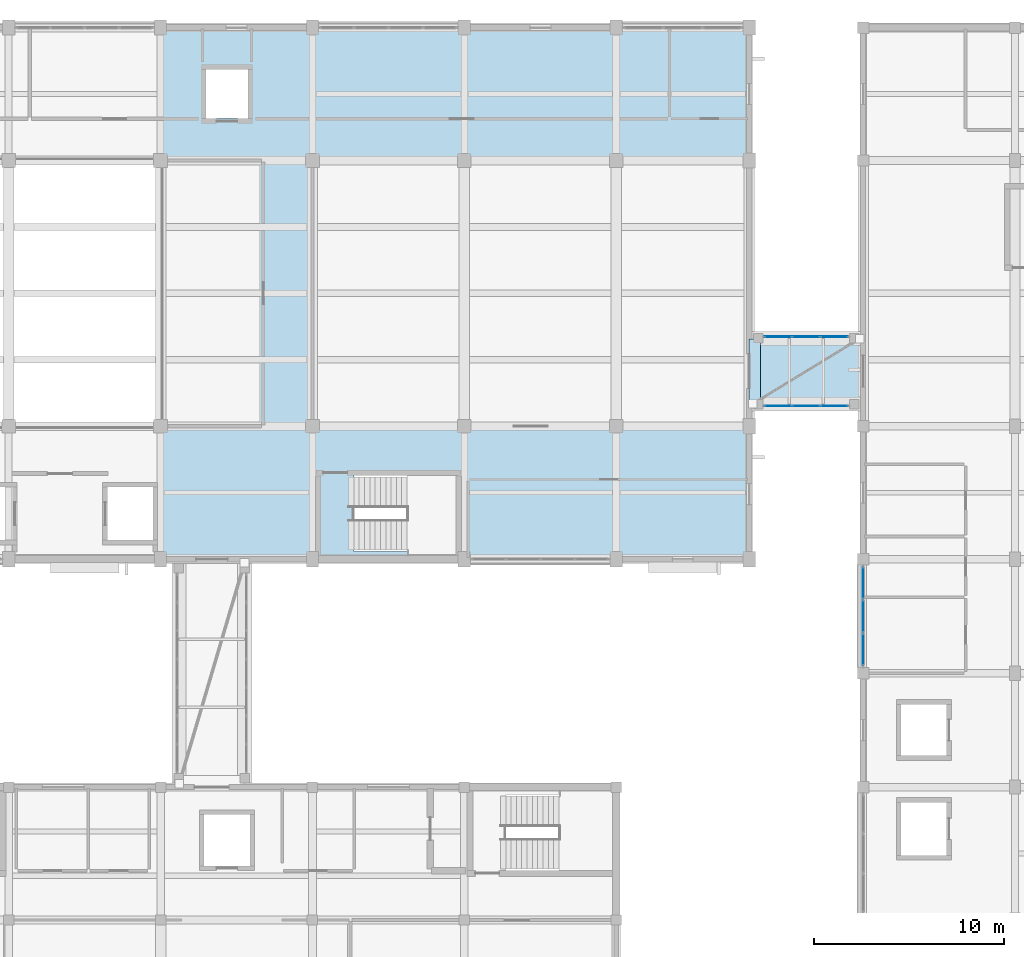
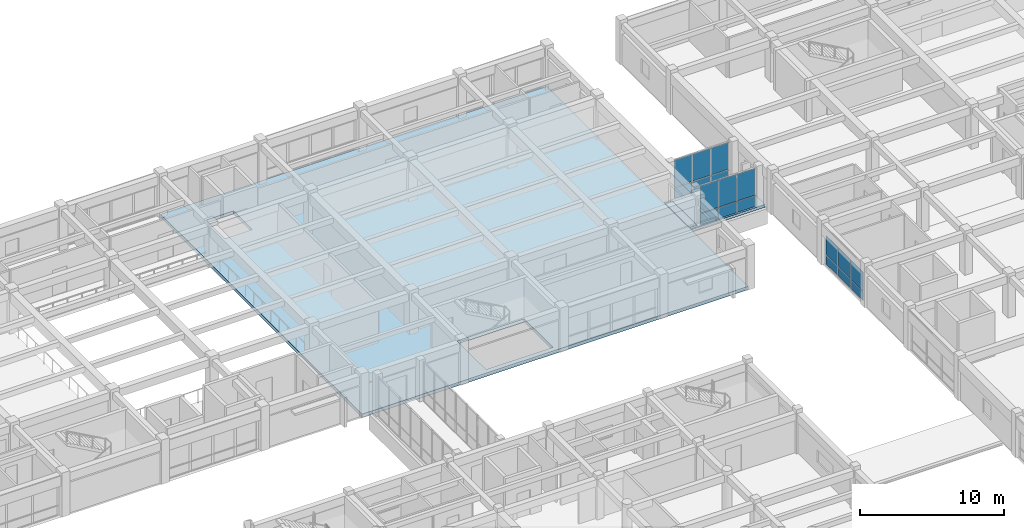
# One storey, part 20 of 42: 19 plates, 2 slabs, 3 elements without a shape of their own.
"""IFC4 building model written with IfcOpenShell, lengths in metres."""

from ifc_helpers import new_model, si_unit, direction, frame, origin, origin_2d, place, context, subcontext, project, spatial, polyline, rectangle, outline, extrude, material, layer, layer_set, type_object, element, aggregate, save


model = new_model("IFC4")

# Units and contexts
model_context = context("Model", 3, precision=1e-05, world=origin(), true_north=direction((0.0, 1.0)))
body_context = subcontext(model_context, "Body", "Model", "MODEL_VIEW")
ifc_project = project(units=[si_unit("LENGTHUNIT", "METRE"), si_unit("AREAUNIT", "SQUARE_METRE"), si_unit("VOLUMEUNIT", "CUBIC_METRE"), si_unit("PLANEANGLEUNIT", "RADIAN"), si_unit("MASSUNIT", "GRAM", prefix="KILO")], contexts=[model_context])

# Site, building, storey
site_placement = place(None, origin())
site = spatial("IfcSite", under=ifc_project, at=site_placement, CompositionType="ELEMENT")
building_placement = place(site_placement, origin())
building = spatial("IfcBuilding", under=site, at=building_placement, Name="Naurynzar Civic Courthouse", CompositionType="ELEMENT")
storey_placement = place(building_placement, frame((0.0, 0.0, 18.300048828125)))
storey = spatial("IfcBuildingStorey", under=building, at=storey_placement, Name="L05", CompositionType="ELEMENT", Elevation=18.300048828125)

# Curtain wall, plates
ifc_material_1 = material(Name="Aluminium 6063-T6", Category="aluminium")
ifc_layer_1 = layer(ifc_material_1, 0.14990234375)
ifc_layer_set_1 = layer_set([ifc_layer_1], Name="CW-BRIDGE-1500")
curtain_wall_type_1 = type_object("IfcCurtainWallType", Name="CW-BRIDGE-1500", PredefinedType="USERDEFINED", material=ifc_layer_set_1)
curtain_wall_1_placement = place(storey_placement, origin())
curtain_wall_1 = element("IfcCurtainWall", 1, at=curtain_wall_1_placement, inside=storey, type_object=curtain_wall_type_1, Name="BR-E1 glazed bridge screen L05.1", ObjectType="GLAZED BRIDGE SCREEN", PredefinedType="USERDEFINED")
ifc_material_2 = material(Name="Tempered Laminated Low-E Glass", Category="glass")
ifc_layer_2 = layer(ifc_material_2, 0.031982421875)
ifc_layer_set_2 = layer_set([ifc_layer_2], Name="CWP-IGU-32")
plate_type_1 = type_object("IfcPlateType", Name="CWP-IGU-32", PredefinedType="CURTAIN_PANEL", material=ifc_layer_set_2)
plate_1_placement = place(storey_placement, frame((125.521728515625, 52.080078125, 0.06005859375), z_axis=(0.0, 0.0, 1.0), x_axis=(1.0, 0.0, 0.0)))
plate_1 = element("IfcPlate", 2, at=plate_1_placement, type_object=plate_type_1, Name="CW-03 panel 1.1", PredefinedType="CURTAIN_PANEL", context=body_context, shape_type="SweptSolid", body=[
    extrude(rectangle(XDim=1.4033203125, YDim=0.031982421875, at=origin_2d()), origin(), (0.0, 0.0, 1.0), 0.909912109375),
])
plate_2_placement = place(storey_placement, frame((125.521728515625, 52.080078125, 1.02978515625), z_axis=(0.0, 0.0, 1.0), x_axis=(1.0, 0.0, 0.0)))
plate_2 = element("IfcPlate", 3, at=plate_2_placement, type_object=plate_type_1, Name="CW-03 panel 1.2", PredefinedType="CURTAIN_PANEL", context=body_context, shape_type="SweptSolid", body=[
    extrude(rectangle(XDim=1.4033203125, YDim=0.031982421875, at=origin_2d()), origin(), (0.0, 0.0, 1.0), 2.280029296875),
])
plate_3_placement = place(storey_placement, frame((127.0, 52.080078125, 0.06005859375), z_axis=(0.0, 0.0, 1.0), x_axis=(1.0, 0.0, 0.0)))
plate_3 = element("IfcPlate", 4, at=plate_3_placement, type_object=plate_type_1, Name="CW-03 panel 2.1", PredefinedType="CURTAIN_PANEL", context=body_context, shape_type="SweptSolid", body=[
    extrude(rectangle(XDim=1.433349609375, YDim=0.031982421875, at=origin_2d()), origin(), (0.0, 0.0, 1.0), 0.909912109375),
])
plate_4_placement = place(storey_placement, frame((127.0, 52.080078125, 1.02978515625), z_axis=(0.0, 0.0, 1.0), x_axis=(1.0, 0.0, 0.0)))
plate_4 = element("IfcPlate", 5, at=plate_4_placement, type_object=plate_type_1, Name="CW-03 panel 2.2", PredefinedType="CURTAIN_PANEL", context=body_context, shape_type="SweptSolid", body=[
    extrude(rectangle(XDim=1.433349609375, YDim=0.031982421875, at=origin_2d()), origin(), (0.0, 0.0, 1.0), 2.280029296875),
])
plate_5_placement = place(storey_placement, frame((128.478271484375, 52.080078125, 0.06005859375), z_axis=(0.0, 0.0, 1.0), x_axis=(1.0, 0.0, 0.0)))
plate_5 = element("IfcPlate", 6, at=plate_5_placement, type_object=plate_type_1, Name="CW-03 panel 3.1", PredefinedType="CURTAIN_PANEL", context=body_context, shape_type="SweptSolid", body=[
    extrude(rectangle(XDim=1.4033203125, YDim=0.031982421875, at=origin_2d()), origin(), (0.0, 0.0, 1.0), 0.909912109375),
])
plate_6_placement = place(storey_placement, frame((128.478271484375, 52.080078125, 1.02978515625), z_axis=(0.0, 0.0, 1.0), x_axis=(1.0, 0.0, 0.0)))
plate_6 = element("IfcPlate", 7, at=plate_6_placement, type_object=plate_type_1, Name="CW-03 panel 3.2", PredefinedType="CURTAIN_PANEL", context=body_context, shape_type="SweptSolid", body=[
    extrude(rectangle(XDim=1.4033203125, YDim=0.031982421875, at=origin_2d()), origin(), (0.0, 0.0, 1.0), 2.280029296875),
])
aggregate(curtain_wall_1, [plate_1, plate_2, plate_3, plate_4, plate_5, plate_6])

curtain_wall_2_placement = place(storey_placement, origin())
curtain_wall_2 = element("IfcCurtainWall", 8, at=curtain_wall_2_placement, inside=storey, type_object=curtain_wall_type_1, Name="BR-E1 glazed bridge screen L05.2", ObjectType="GLAZED BRIDGE SCREEN", PredefinedType="USERDEFINED")
plate_7_placement = place(storey_placement, frame((128.478271484375, 55.719970703125, 0.06005859375), z_axis=(0.0, 0.0, 1.0), x_axis=(-1.0, 0.0, 0.0)))
plate_7 = element("IfcPlate", 9, at=plate_7_placement, type_object=plate_type_1, Name="CW-03 panel 1.1", PredefinedType="CURTAIN_PANEL", context=body_context, shape_type="SweptSolid", body=[
    extrude(rectangle(XDim=1.4033203125, YDim=0.031982421875, at=origin_2d()), origin(), (0.0, 0.0, 1.0), 0.909912109375),
])
plate_8_placement = place(storey_placement, frame((128.478271484375, 55.719970703125, 1.02978515625), z_axis=(0.0, 0.0, 1.0), x_axis=(-1.0, 0.0, 0.0)))
plate_8 = element("IfcPlate", 10, at=plate_8_placement, type_object=plate_type_1, Name="CW-03 panel 1.2", PredefinedType="CURTAIN_PANEL", context=body_context, shape_type="SweptSolid", body=[
    extrude(rectangle(XDim=1.4033203125, YDim=0.031982421875, at=origin_2d()), origin(), (0.0, 0.0, 1.0), 2.280029296875),
])
plate_9_placement = place(storey_placement, frame((127.0, 55.719970703125, 0.06005859375), z_axis=(0.0, 0.0, 1.0), x_axis=(-1.0, 0.0, 0.0)))
plate_9 = element("IfcPlate", 11, at=plate_9_placement, type_object=plate_type_1, Name="CW-03 panel 2.1", PredefinedType="CURTAIN_PANEL", context=body_context, shape_type="SweptSolid", body=[
    extrude(rectangle(XDim=1.433349609375, YDim=0.031982421875, at=origin_2d()), origin(), (0.0, 0.0, 1.0), 0.909912109375),
])
plate_10_placement = place(storey_placement, frame((127.0, 55.719970703125, 1.02978515625), z_axis=(0.0, 0.0, 1.0), x_axis=(-1.0, 0.0, 0.0)))
plate_10 = element("IfcPlate", 12, at=plate_10_placement, type_object=plate_type_1, Name="CW-03 panel 2.2", PredefinedType="CURTAIN_PANEL", context=body_context, shape_type="SweptSolid", body=[
    extrude(rectangle(XDim=1.433349609375, YDim=0.031982421875, at=origin_2d()), origin(), (0.0, 0.0, 1.0), 2.280029296875),
])
plate_11_placement = place(storey_placement, frame((125.521728515625, 55.719970703125, 0.06005859375), z_axis=(0.0, 0.0, 1.0), x_axis=(-1.0, 0.0, 0.0)))
plate_11 = element("IfcPlate", 13, at=plate_11_placement, type_object=plate_type_1, Name="CW-03 panel 3.1", PredefinedType="CURTAIN_PANEL", context=body_context, shape_type="SweptSolid", body=[
    extrude(rectangle(XDim=1.4033203125, YDim=0.031982421875, at=origin_2d()), origin(), (0.0, 0.0, 1.0), 0.909912109375),
])
plate_12_placement = place(storey_placement, frame((125.521728515625, 55.719970703125, 1.02978515625), z_axis=(0.0, 0.0, 1.0), x_axis=(-1.0, 0.0, 0.0)))
plate_12 = element("IfcPlate", 14, at=plate_12_placement, type_object=plate_type_1, Name="CW-03 panel 3.2", PredefinedType="CURTAIN_PANEL", context=body_context, shape_type="SweptSolid", body=[
    extrude(rectangle(XDim=1.4033203125, YDim=0.031982421875, at=origin_2d()), origin(), (0.0, 0.0, 1.0), 2.280029296875),
])
aggregate(curtain_wall_2, [plate_7, plate_8, plate_9, plate_10, plate_11, plate_12])

ifc_material_3 = material(Name="Aluminium 6063-T6", Category="aluminium")
ifc_layer_3 = layer(ifc_material_3, 0.159912109375)
ifc_layer_set_3 = layer_set([ifc_layer_3], Name="CW-UNIT-1800")
curtain_wall_type_2 = type_object("IfcCurtainWallType", Name="CW-UNIT-1800", PredefinedType="NOTDEFINED", material=ifc_layer_set_3)
curtain_wall_3_placement = place(storey_placement, origin())
curtain_wall_3 = element("IfcCurtainWall", 15, at=curtain_wall_3_placement, inside=storey, type_object=curtain_wall_type_2, Name="V5 unitised curtain wall 104 L05", PredefinedType="NOTDEFINED")
ifc_material_4 = material(Name="Tempered Laminated Low-E Glass", Category="glass")
ifc_layer_4 = layer(ifc_material_4, 0.035888671875)
ifc_layer_set_4 = layer_set([ifc_layer_4], Name="CWP-IGU-36")
plate_type_2 = type_object("IfcPlateType", Name="CWP-IGU-36", PredefinedType="CURTAIN_PANEL", material=ifc_layer_set_4)
plate_13_placement = place(storey_placement, frame((130.0, 39.250732421875, 0.06982421875), z_axis=(0.0, 0.0, 1.0), x_axis=(0.0, 1.0, 0.0)))
plate_13 = element("IfcPlate", 16, at=plate_13_placement, type_object=plate_type_2, Name="CW-02 panel 1.1", PredefinedType="CURTAIN_PANEL", context=body_context, shape_type="SweptSolid", body=[
    extrude(rectangle(XDim=1.66162109375, YDim=0.035888671875, at=origin_2d()), origin(), (0.0, 0.0, 1.0), 0.7451171875),
])
plate_14_placement = place(storey_placement, frame((130.0, 39.250732421875, 0.884765625), z_axis=(0.0, 0.0, 1.0), x_axis=(0.0, 1.0, 0.0)))
plate_14 = element("IfcPlate", 17, at=plate_14_placement, type_object=plate_type_2, Name="CW-02 panel 1.2", PredefinedType="CURTAIN_PANEL", context=body_context, shape_type="SweptSolid", body=[
    extrude(rectangle(XDim=1.66162109375, YDim=0.035888671875, at=origin_2d()), origin(), (0.0, 0.0, 1.0), 1.594970703125),
])
plate_15_placement = place(storey_placement, frame((130.0, 41.0, 0.06982421875), z_axis=(0.0, 0.0, 1.0), x_axis=(0.0, 1.0, 0.0)))
plate_15 = element("IfcPlate", 18, at=plate_15_placement, type_object=plate_type_2, Name="CW-02 panel 2.1", PredefinedType="CURTAIN_PANEL", context=body_context, shape_type="SweptSolid", body=[
    extrude(rectangle(XDim=1.69677734375, YDim=0.035888671875, at=origin_2d()), origin(), (0.0, 0.0, 1.0), 0.7451171875),
])
plate_16_placement = place(storey_placement, frame((130.0, 41.0, 0.884765625), z_axis=(0.0, 0.0, 1.0), x_axis=(0.0, 1.0, 0.0)))
plate_16 = element("IfcPlate", 19, at=plate_16_placement, type_object=plate_type_2, Name="CW-02 panel 2.2", PredefinedType="CURTAIN_PANEL", context=body_context, shape_type="SweptSolid", body=[
    extrude(rectangle(XDim=1.69677734375, YDim=0.035888671875, at=origin_2d()), origin(), (0.0, 0.0, 1.0), 1.594970703125),
])
plate_17_placement = place(storey_placement, frame((130.0, 42.749267578125, 0.06982421875), z_axis=(0.0, 0.0, 1.0), x_axis=(0.0, 1.0, 0.0)))
plate_17 = element("IfcPlate", 20, at=plate_17_placement, type_object=plate_type_2, Name="CW-02 panel 3.1", PredefinedType="CURTAIN_PANEL", context=body_context, shape_type="SweptSolid", body=[
    extrude(rectangle(XDim=1.66162109375, YDim=0.035888671875, at=origin_2d()), origin(), (0.0, 0.0, 1.0), 0.7451171875),
])
plate_18_placement = place(storey_placement, frame((130.0, 42.749267578125, 0.884765625), z_axis=(0.0, 0.0, 1.0), x_axis=(0.0, 1.0, 0.0)))
plate_18 = element("IfcPlate", 21, at=plate_18_placement, type_object=plate_type_2, Name="CW-02 panel 3.2", PredefinedType="CURTAIN_PANEL", context=body_context, shape_type="SweptSolid", body=[
    extrude(rectangle(XDim=1.66162109375, YDim=0.035888671875, at=origin_2d()), origin(), (0.0, 0.0, 1.0), 1.594970703125),
])
aggregate(curtain_wall_3, [plate_13, plate_14, plate_15, plate_16, plate_17, plate_18])

# Plate
ifc_material_5 = material(Name="Brushed Stainless Steel 304", Category="steel")
ifc_layer_5 = layer(ifc_material_5, 0.011962890625)
ifc_layer_set_5 = layer_set([ifc_layer_5], Name="PLT-SEISMIC-COVER-12")
plate_type_3 = type_object("IfcPlateType", Name="PLT-SEISMIC-COVER-12", PredefinedType="SHEET", material=ifc_layer_set_5)
plate_19_placement = place(storey_placement, frame((124.300048828125, 53.89990234375, 0.0), z_axis=(0.0, 0.0, 1.0), x_axis=(1.0, 0.0, 0.0)))
element("IfcPlate", 22, at=plate_19_placement, inside=storey, type_object=plate_type_3, Name="BR-E1 seismic floor joint cover plate L05", PredefinedType="SHEET", context=body_context, shape_type="SweptSolid", body=[
    extrude(rectangle(XDim=0.60009765625, YDim=3.39990234375, at=origin_2d()), origin(), (0.0, 0.0, 1.0), 0.011962890625),
])

# Slabs
ifc_material_6 = material(Name="Concrete C35/45", Category="concrete")
ifc_layer_6 = layer(ifc_material_6, 0.239990234375)
ifc_layer_set_6 = layer_set([ifc_layer_6], Name="SLB-BRG-240")
slab_type_1 = type_object("IfcSlabType", Name="SLB-BRG-240", PredefinedType="FLOOR", material=ifc_layer_set_6)
slab_1_placement = place(storey_placement, frame((0.0, 0.0, -0.239990234375)))
element("IfcSlab", 23, at=slab_1_placement, inside=storey, type_object=slab_type_1, Name="East Judicial Seismic Link Passage deck slab L05", PredefinedType="FLOOR", context=body_context, shape_type="SweptSolid", body=[
    extrude(outline(polyline([(124.02001953125, 52.02001953125), (129.97998046875, 52.02001953125), (129.97998046875, 55.780029296875), (124.02001953125, 55.780029296875), (124.02001953125, 52.02001953125)])), origin(), (0.0, 0.0, 1.0), 0.239990234375),
])
ifc_material_7 = material(Name="Concrete C35/45", Category="concrete")
ifc_layer_7 = layer(ifc_material_7, 0.280029296875)
ifc_layer_set_7 = layer_set([ifc_layer_7], Name="SLB-PT-280")
slab_type_2 = type_object("IfcSlabType", Name="SLB-PT-280", PredefinedType="FLOOR", material=ifc_layer_set_7)
slab_2_placement = place(storey_placement, frame((0.0, 0.0, -0.280029296875)))
element("IfcSlab", 24, at=slab_2_placement, inside=storey, type_object=slab_type_2, Name="V2 floor slab L05 E", PredefinedType="FLOOR", context=body_context, shape_type="SweptSolid", body=[
    extrude(outline(polyline([(124.0, 44.0), (124.0, 72.0), (93.0, 72.0), (93.0, 44.0), (124.0, 44.0)]), holes=[polyline([(103.179931640625, 44.39990234375), (108.550048828125, 44.39990234375), (108.550048828125, 48.39990234375), (103.179931640625, 48.39990234375), (103.179931640625, 44.39990234375)]), polyline([(95.39990234375, 67.199951171875), (97.60009765625, 67.199951171875), (97.60009765625, 69.800048828125), (95.39990234375, 69.800048828125), (95.39990234375, 67.199951171875)])]), origin(), (0.0, 0.0, 1.0), 0.280029296875),
])

save(model, "model.ifc")
